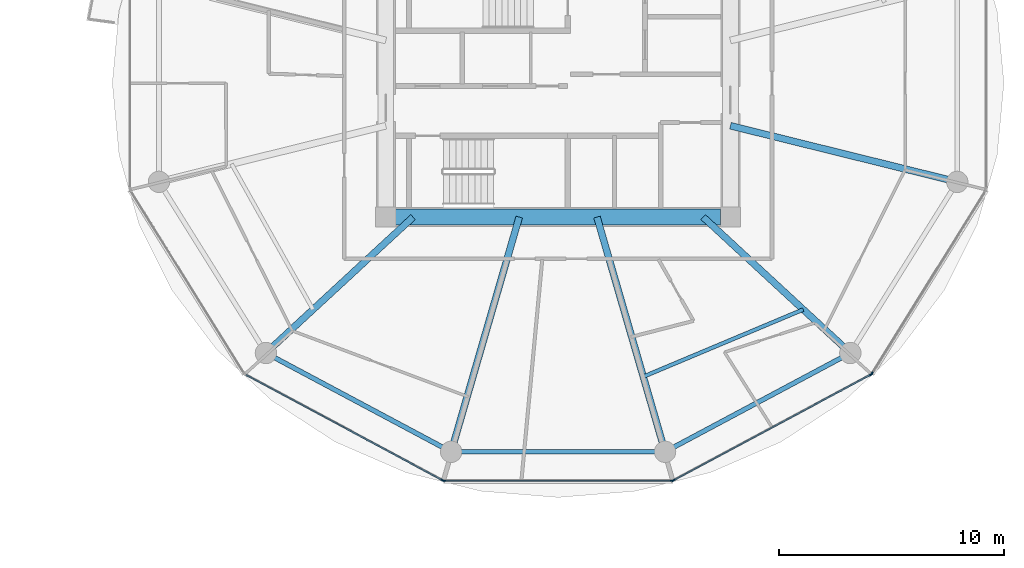
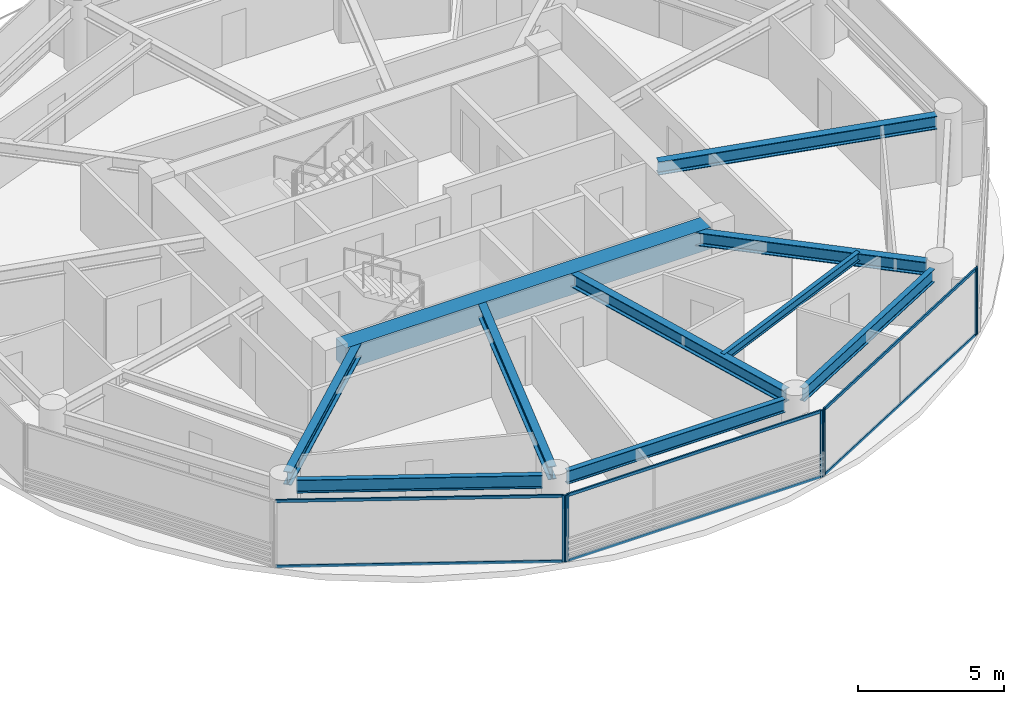
# One storey, part 10 of 27: 12 members, 10 beams, 4 elements without a shape of their own.
"""IFC4 building model written with IfcOpenShell, lengths in metres."""

from ifc_helpers import new_model, si_unit, direction, frame, origin, origin_2d, place, context, subcontext, project, spatial, rectangle, i_section, extrude, source, transform, mapped, material, layer, layer_set, material_profile, profile_set, type_object, type_shapes, element, aggregate, save


model = new_model("IFC4")

# Units and contexts
model_context = context("Model", 3, precision=1e-05, world=origin(), true_north=direction((0.0, 1.0)))
body_context = subcontext(model_context, "Body", "Model", "MODEL_VIEW")
ifc_project = project(units=[si_unit("LENGTHUNIT", "METRE"), si_unit("AREAUNIT", "SQUARE_METRE"), si_unit("VOLUMEUNIT", "CUBIC_METRE"), si_unit("PLANEANGLEUNIT", "RADIAN"), si_unit("MASSUNIT", "GRAM", prefix="KILO")], contexts=[model_context])

# Site, building, storey
site_placement = place(None, origin())
site = spatial("IfcSite", under=ifc_project, at=site_placement, CompositionType="ELEMENT")
building_placement = place(site_placement, origin())
building = spatial("IfcBuilding", under=site, at=building_placement, Name="Norrkilde Senior Care Towers", CompositionType="ELEMENT")
storey_placement = place(building_placement, frame((0.0, 0.0, 61.25)))
storey = spatial("IfcBuildingStorey", under=building, at=storey_placement, Name="L18", CompositionType="ELEMENT", Elevation=61.25)

# Beams
ifc_material_1 = material(Name="Concrete C60/75", Category="concrete")
ifc_material_profile_1 = material_profile(ifc_material_1, rectangle(XDim=0.699951171875, YDim=0.89990234375, at=origin_2d()), Name="RC BM 700x900")
ifc_profile_set_1 = profile_set([ifc_material_profile_1], Name="Concrete C60/75")
beam_type_1 = type_object("IfcBeamType", Name="Core Coupling Girder 700x900", PredefinedType="USERDEFINED", material=ifc_profile_set_1)
shared_shape_1 = source(origin(), body_context, "Body", "SweptSolid", [
    extrude(rectangle(XDim=0.699951171875, YDim=0.89990234375, at=origin_2d()), origin(), (0.0, 0.0, 1.0), 14.43994140625),
])
type_shapes(beam_type_1, [shared_shape_1])
beam_1_placement = place(storey_placement, frame((20.780029296875, -5.949951171875, 2.340087890625), z_axis=(1.0, 0.0, 0.0), x_axis=(0.0, 1.0, 0.0)))
element("IfcBeam", 1, at=beam_1_placement, inside=storey, type_object=beam_type_1, Name="L18 Core E S Coupling Girder", ObjectType="GIRDER", PredefinedType="USERDEFINED", context=body_context, shape_type="MappedRepresentation", body=[
    mapped(shared_shape_1, transform((0.0, 0.0, 0.0), x_axis=(1.0, 0.0, 0.0), y_axis=(0.0, 1.0, 0.0), z_axis=(0.0, 0.0, 1.0), scale=1.0)),
])
ifc_material_2 = material(Name="Steel S355", Category="steel")
ifc_material_profile_2 = material_profile(ifc_material_2, i_section(OverallWidth=0.300048828125, OverallDepth=0.550048828125, WebThickness=0.014892578125, FlangeThickness=0.029052734375, FilletRadius=0.027099609375, at=origin_2d()), Name="HEB 550")
ifc_profile_set_2 = profile_set([ifc_material_profile_2], Name="Steel S355")
beam_type_2 = type_object("IfcBeamType", Name="Radial Floor Beam Z1 HEB550", PredefinedType="BEAM", material=ifc_profile_set_2)
shared_shape_2 = source(origin(), body_context, "Body", "SweptSolid", [
    extrude(i_section(OverallWidth=0.300048828125, OverallDepth=0.550048828125, WebThickness=0.014892578125, FlangeThickness=0.029052734375, FilletRadius=0.027099609375, at=origin_2d()), origin(), (0.0, 0.0, 1.0), 9.94384765625),
])
beam_2_placement = place(storey_placement, frame((35.64990234375, -1.893310546875, 2.514892578125), z_axis=(0.970707425182, -0.240264634718, 0.0), x_axis=(0.240264634718, 0.970707425182, 0.0)))
element("IfcBeam", 2, at=beam_2_placement, inside=storey, type_object=beam_type_2, Name="L18 Drum E Radial Floor Beam 12", PredefinedType="BEAM", context=body_context, shape_type="MappedRepresentation", body=[
    mapped(shared_shape_2, transform((0.0, 0.0, 0.0), x_axis=(1.0, 0.0, 0.0), y_axis=(0.0, 1.0, 0.0), z_axis=(0.0, 0.0, 1.0), scale=1.0)),
])
ifc_material_profile_3 = material_profile(ifc_material_2, i_section(OverallWidth=0.2099609375, OverallDepth=0.550048828125, WebThickness=0.010986328125, FlangeThickness=0.01708984375, FilletRadius=0.02392578125, at=origin_2d()), Name="IPE 550")
ifc_profile_set_3 = profile_set([ifc_material_profile_3], Name="Steel S355")
beam_type_3 = type_object("IfcBeamType", Name="Perimeter Ring Spandrel Z1 IPE550", PredefinedType="SPANDREL", material=ifc_profile_set_3)
shared_shape_3 = source(origin(), body_context, "Body", "SweptSolid", [
    extrude(i_section(OverallWidth=0.2099609375, OverallDepth=0.550048828125, WebThickness=0.010986328125, FlangeThickness=0.01708984375, FilletRadius=0.02392578125, at=origin_2d()), origin(), (0.0, 0.0, 1.0), 8.452880859375),
])
for number, where, z_axis, x_axis, name in (
    (3, (15.408447265625, -12.190185546875, 2.514892578125), (0.882368931134, -0.470558252898, 0.0), (0.470558252898, 0.882368931134, 0.0), "L18 Drum E Perimeter Spandrel 08"),
    (4, (33.133056640625, -16.167724609375, 2.514892578125), (0.882368931134, 0.470558252898, 0.0), (-0.470558252898, 0.882368931134, 0.0), "L18 Drum E Perimeter Spandrel 10"),
):
    element("IfcBeam", number, at=place(storey_placement, frame(where, z_axis=z_axis, x_axis=x_axis)), inside=storey, type_object=beam_type_3, Name=name, PredefinedType="SPANDREL", context=body_context, shape_type="MappedRepresentation", body=[
        mapped(shared_shape_3, transform((0.0, 0.0, 0.0), x_axis=(1.0, 0.0, 0.0), y_axis=(0.0, 1.0, 0.0), z_axis=(0.0, 0.0, 1.0), scale=1.0)),
    ])
shared_shape_4 = source(origin(), body_context, "Body", "SweptSolid", [
    extrude(i_section(OverallWidth=0.300048828125, OverallDepth=0.550048828125, WebThickness=0.014892578125, FlangeThickness=0.029052734375, FilletRadius=0.027099609375, at=origin_2d()), origin(), (0.0, 0.0, 1.0), 8.459716796875),
])
for number, where, z_axis, x_axis, name in (
    (5, (21.55859375, -5.949951171875, 2.514892578125), (-0.734573269108, -0.678529374686, 0.0), (0.678529374686, -0.734573269108, 0.0), "L18 Drum E Radial Floor Beam 08"),
    (6, (34.44140625, -5.949951171875, 2.514892578125), (0.734573269108, -0.678529374686, 0.0), (0.678529374686, 0.734573269108, 0.0), "L18 Drum E Radial Floor Beam 11"),
):
    element("IfcBeam", number, at=place(storey_placement, frame(where, z_axis=z_axis, x_axis=x_axis)), inside=storey, type_object=beam_type_2, Name=name, PredefinedType="BEAM", context=body_context, shape_type="MappedRepresentation", body=[
        mapped(shared_shape_4, transform((0.0, 0.0, 0.0), x_axis=(1.0, 0.0, 0.0), y_axis=(0.0, 1.0, 0.0), z_axis=(0.0, 0.0, 1.0), scale=1.0)),
    ])
shared_shape_5 = source(origin(), body_context, "Body", "SweptSolid", [
    extrude(i_section(OverallWidth=0.2099609375, OverallDepth=0.550048828125, WebThickness=0.010986328125, FlangeThickness=0.01708984375, FilletRadius=0.02392578125, at=origin_2d()), origin(), (0.0, 0.0, 1.0), 8.62841796875),
])
type_shapes(beam_type_3, [shared_shape_3, shared_shape_5])
beam_3_placement = place(storey_placement, frame((23.685791015625, -16.37255859375, 2.514892578125), z_axis=(1.0, 0.0, 0.0), x_axis=(0.0, 1.0, 0.0)))
element("IfcBeam", 7, at=beam_3_placement, inside=storey, type_object=beam_type_3, Name="L18 Drum E Perimeter Spandrel 09", PredefinedType="SPANDREL", context=body_context, shape_type="MappedRepresentation", body=[
    mapped(shared_shape_5, transform((0.0, 0.0, 0.0), x_axis=(1.0, 0.0, 0.0), y_axis=(0.0, 1.0, 0.0), z_axis=(0.0, 0.0, 1.0), scale=1.0)),
])
shared_shape_6 = source(origin(), body_context, "Body", "SweptSolid", [
    extrude(i_section(OverallWidth=0.300048828125, OverallDepth=0.550048828125, WebThickness=0.014892578125, FlangeThickness=0.029052734375, FilletRadius=0.027099609375, at=origin_2d()), origin(), (0.0, 0.0, 1.0), 10.4169921875),
])
type_shapes(beam_type_2, [shared_shape_2, shared_shape_4, shared_shape_6])
for number, where, z_axis, x_axis, name in (
    (8, (26.27392578125, -5.949951171875, 2.514892578125), (-0.278591250785, -0.960409764104, 0.0), (0.960409764104, -0.278591250785, 0.0), "L18 Drum E Radial Floor Beam 09"),
    (9, (29.72607421875, -5.949951171875, 2.514892578125), (0.278591250785, -0.960409764104, 0.0), (0.960409764104, 0.278591250785, 0.0), "L18 Drum E Radial Floor Beam 10"),
):
    element("IfcBeam", number, at=place(storey_placement, frame(where, z_axis=z_axis, x_axis=x_axis)), inside=storey, type_object=beam_type_2, Name=name, PredefinedType="BEAM", context=body_context, shape_type="MappedRepresentation", body=[
        mapped(shared_shape_6, transform((0.0, 0.0, 0.0), x_axis=(1.0, 0.0, 0.0), y_axis=(0.0, 1.0, 0.0), z_axis=(0.0, 0.0, 1.0), scale=1.0)),
    ])
ifc_material_profile_4 = material_profile(ifc_material_2, i_section(OverallWidth=0.169921875, OverallDepth=0.360107421875, WebThickness=0.008056640625, FlangeThickness=0.0126953125, FilletRadius=0.01806640625, at=origin_2d()), Name="IPE 360")
ifc_profile_set_4 = profile_set([ifc_material_profile_4], Name="Steel S355")
beam_type_4 = type_object("IfcBeamType", Name="Secondary Floor Joist IPE360", PredefinedType="JOIST", material=ifc_profile_set_4)
shared_shape_7 = source(origin(), body_context, "Body", "SweptSolid", [
    extrude(i_section(OverallWidth=0.169921875, OverallDepth=0.360107421875, WebThickness=0.008056640625, FlangeThickness=0.0126953125, FilletRadius=0.01806640625, at=origin_2d()), origin(), (0.0, 0.0, 1.0), 7.703857421875),
])
type_shapes(beam_type_4, [shared_shape_7])
beam_4_placement = place(storey_placement, frame((31.78173828125, -13.037353515625, 2.610107421875), z_axis=(0.921982784465, 0.387230868023, 0.0), x_axis=(-0.387230868023, 0.921982784465, 0.0)))
element("IfcBeam", 10, at=beam_4_placement, inside=storey, type_object=beam_type_4, Name="L18 Drum E Secondary Floor Joist 4", PredefinedType="JOIST", context=body_context, shape_type="MappedRepresentation", body=[
    mapped(shared_shape_7, transform((0.0, 0.0, 0.0), x_axis=(1.0, 0.0, 0.0), y_axis=(0.0, 1.0, 0.0), z_axis=(0.0, 0.0, 1.0), scale=1.0)),
])

# Curtain wall, member
ifc_material_3 = material(Name="Triple Low-E Insulated Glazing", Category="glass")
ifc_layer = layer(ifc_material_3, 0.199951171875)
ifc_layer_set = layer_set([ifc_layer], Name="Triple Low-E Insulated Glazing")
curtain_wall_type = type_object("IfcCurtainWallType", Name="CW2 Zone 1 Memory Care Curtain Wall", PredefinedType="NOTDEFINED", material=ifc_layer_set)
curtain_wall_1_placement = place(storey_placement, origin())
curtain_wall_1 = element("IfcCurtainWall", 11, at=curtain_wall_1_placement, inside=storey, type_object=curtain_wall_type, Name="L18 Drum E Curtain Wall 07", PredefinedType="NOTDEFINED")
ifc_material_4 = material(Name="Anodised Aluminium", Category="aluminium")
ifc_material_profile_5 = material_profile(ifc_material_4, rectangle(XDim=0.06494140625, YDim=0.159912109375, at=origin_2d()), Name="ALU MULL 65x160")
ifc_profile_set_5 = profile_set([ifc_material_profile_5], Name="Anodised Aluminium")
member_type_1 = type_object("IfcMemberType", Name="Curtain Wall Mullion Z1-Z2 65x160", PredefinedType="MULLION", material=ifc_profile_set_5)
shared_shape_8 = source(origin(), body_context, "Body", "SweptSolid", [
    extrude(rectangle(XDim=0.06494140625, YDim=0.159912109375, at=origin_2d()), origin(), (0.0, 0.0, 1.0), 2.7900390625),
])
type_shapes(member_type_1, [shared_shape_8])
member_1_placement = place(storey_placement, frame((22.877685546875, -17.641845703125, 0.0), z_axis=(0.0, 0.0, 1.0), x_axis=(-0.472607802456, -0.881272866403, 0.0)))
member_1 = element("IfcMember", 12, at=member_1_placement, type_object=member_type_1, Name="CW-2 mullion 1", PredefinedType="MULLION", context=body_context, shape_type="MappedRepresentation", body=[
    mapped(shared_shape_8, transform((0.0, 0.0, 0.0), x_axis=(1.0, 0.0, 0.0), y_axis=(0.0, 1.0, 0.0), z_axis=(0.0, 0.0, 1.0), scale=1.0)),
])

# Curtain wall, members
curtain_wall_2_placement = place(storey_placement, origin())
curtain_wall_2 = element("IfcCurtainWall", 13, at=curtain_wall_2_placement, inside=storey, type_object=curtain_wall_type, Name="L18 Drum E Curtain Wall 08", PredefinedType="NOTDEFINED")
member_2_placement = place(storey_placement, frame((33.06103515625, -17.6572265625, 0.0), z_axis=(0.0, 0.0, 1.0), x_axis=(0.0, -1.0, 0.0)))
member_2 = element("IfcMember", 14, at=member_2_placement, type_object=member_type_1, Name="CW-2 mullion 1", PredefinedType="MULLION", context=body_context, shape_type="MappedRepresentation", body=[
    mapped(shared_shape_8, transform((0.0, 0.0, 0.0), x_axis=(1.0, 0.0, 0.0), y_axis=(0.0, 1.0, 0.0), z_axis=(0.0, 0.0, 1.0), scale=1.0)),
])
member_3_placement = place(storey_placement, frame((22.93896484375, -17.6572265625, 0.0), z_axis=(0.0, 0.0, 1.0), x_axis=(0.0, -1.0, 0.0)))
member_3 = element("IfcMember", 15, at=member_3_placement, type_object=member_type_1, Name="CW-2 mullion 2", PredefinedType="MULLION", context=body_context, shape_type="MappedRepresentation", body=[
    mapped(shared_shape_8, transform((0.0, 0.0, 0.0), x_axis=(1.0, 0.0, 0.0), y_axis=(0.0, 1.0, 0.0), z_axis=(0.0, 0.0, 1.0), scale=1.0)),
])

curtain_wall_3_placement = place(storey_placement, origin())
curtain_wall_3 = element("IfcCurtainWall", 16, at=curtain_wall_3_placement, inside=storey, type_object=curtain_wall_type, Name="L18 Drum E Curtain Wall 09", PredefinedType="NOTDEFINED")
member_4_placement = place(storey_placement, frame((41.88720703125, -12.941162109375, 0.0), z_axis=(0.0, 0.0, 1.0), x_axis=(0.472607802456, -0.881272866403, 0.0)))
member_4 = element("IfcMember", 17, at=member_4_placement, type_object=member_type_1, Name="CW-2 mullion 1", PredefinedType="MULLION", context=body_context, shape_type="MappedRepresentation", body=[
    mapped(shared_shape_8, transform((0.0, 0.0, 0.0), x_axis=(1.0, 0.0, 0.0), y_axis=(0.0, 1.0, 0.0), z_axis=(0.0, 0.0, 1.0), scale=1.0)),
])
member_5_placement = place(storey_placement, frame((33.122314453125, -17.641845703125, 0.0), z_axis=(0.0, 0.0, 1.0), x_axis=(0.472607802456, -0.881272866403, 0.0)))
member_5 = element("IfcMember", 18, at=member_5_placement, type_object=member_type_1, Name="CW-2 mullion 2", PredefinedType="MULLION", context=body_context, shape_type="MappedRepresentation", body=[
    mapped(shared_shape_8, transform((0.0, 0.0, 0.0), x_axis=(1.0, 0.0, 0.0), y_axis=(0.0, 1.0, 0.0), z_axis=(0.0, 0.0, 1.0), scale=1.0)),
])

# Curtain wall, member
curtain_wall_4_placement = place(storey_placement, origin())
curtain_wall_4 = element("IfcCurtainWall", 19, at=curtain_wall_4_placement, inside=storey, type_object=curtain_wall_type, Name="L18 Drum E Curtain Wall 10", PredefinedType="NOTDEFINED")
member_6_placement = place(storey_placement, frame((41.93310546875, -12.898193359375, 0.0), z_axis=(0.0, 0.0, 1.0), x_axis=(0.849305943117, -0.527900951871, 0.0)))
member_6 = element("IfcMember", 20, at=member_6_placement, type_object=member_type_1, Name="CW-2 mullion 2", PredefinedType="MULLION", context=body_context, shape_type="MappedRepresentation", body=[
    mapped(shared_shape_8, transform((0.0, 0.0, 0.0), x_axis=(1.0, 0.0, 0.0), y_axis=(0.0, 1.0, 0.0), z_axis=(0.0, 0.0, 1.0), scale=1.0)),
])
aggregate(curtain_wall_4, [member_6])

# Member
ifc_material_profile_6 = material_profile(ifc_material_4, rectangle(XDim=0.06005859375, YDim=0.1201171875, at=origin_2d()), Name="ALU TRAN 60x120")
ifc_profile_set_6 = profile_set([ifc_material_profile_6], Name="Anodised Aluminium")
member_type_2 = type_object("IfcMemberType", Name="Curtain Wall Transom Typical 60x120", PredefinedType="USERDEFINED", material=ifc_profile_set_6)
shared_shape_9 = source(origin(), body_context, "Body", "SweptSolid", [
    extrude(rectangle(XDim=0.06005859375, YDim=0.1201171875, at=origin_2d()), origin(), (0.0, 0.0, 1.0), 9.880859375),
])
member_7_placement = place(storey_placement, frame((22.84912109375, -17.62646484375, 0.030029296875), z_axis=(-0.881267204043, 0.47261836092, 0.0), x_axis=(-0.47261836092, -0.881267204043, 0.0)))
member_7 = element("IfcMember", 21, at=member_7_placement, type_object=member_type_2, Name="CW-2 transom 1.1", ObjectType="TRANSOM", PredefinedType="USERDEFINED", context=body_context, shape_type="MappedRepresentation", body=[
    mapped(shared_shape_9, transform((0.0, 0.0, 0.0), x_axis=(1.0, 0.0, 0.0), y_axis=(0.0, 1.0, 0.0), z_axis=(0.0, 0.0, 1.0), scale=1.0)),
])

member_8_placement = place(storey_placement, frame((22.84912109375, -17.62646484375, 2.760009765625), z_axis=(-0.881267204043, 0.47261836092, 0.0), x_axis=(-0.47261836092, -0.881267204043, 0.0)))
member_8 = element("IfcMember", 22, at=member_8_placement, type_object=member_type_2, Name="CW-2 transom 1.2", ObjectType="TRANSOM", PredefinedType="USERDEFINED", context=body_context, shape_type="MappedRepresentation", body=[
    mapped(shared_shape_9, transform((0.0, 0.0, 0.0), x_axis=(1.0, 0.0, 0.0), y_axis=(0.0, 1.0, 0.0), z_axis=(0.0, 0.0, 1.0), scale=1.0)),
])

aggregate(curtain_wall_1, [member_1, member_7, member_8])

member_9_placement = place(storey_placement, frame((41.858642578125, -12.95654296875, 0.030029296875), z_axis=(-0.881267204043, -0.47261836092, 0.0), x_axis=(0.47261836092, -0.881267204043, 0.0)))
member_9 = element("IfcMember", 23, at=member_9_placement, type_object=member_type_2, Name="CW-2 transom 1.1", ObjectType="TRANSOM", PredefinedType="USERDEFINED", context=body_context, shape_type="MappedRepresentation", body=[
    mapped(shared_shape_9, transform((0.0, 0.0, 0.0), x_axis=(1.0, 0.0, 0.0), y_axis=(0.0, 1.0, 0.0), z_axis=(0.0, 0.0, 1.0), scale=1.0)),
])

member_10_placement = place(storey_placement, frame((41.858642578125, -12.95654296875, 2.760009765625), z_axis=(-0.881267204043, -0.47261836092, 0.0), x_axis=(0.47261836092, -0.881267204043, 0.0)))
member_10 = element("IfcMember", 24, at=member_10_placement, type_object=member_type_2, Name="CW-2 transom 1.2", ObjectType="TRANSOM", PredefinedType="USERDEFINED", context=body_context, shape_type="MappedRepresentation", body=[
    mapped(shared_shape_9, transform((0.0, 0.0, 0.0), x_axis=(1.0, 0.0, 0.0), y_axis=(0.0, 1.0, 0.0), z_axis=(0.0, 0.0, 1.0), scale=1.0)),
])

aggregate(curtain_wall_3, [member_4, member_5, member_9, member_10])

shared_shape_10 = source(origin(), body_context, "Body", "SweptSolid", [
    extrude(rectangle(XDim=0.06005859375, YDim=0.1201171875, at=origin_2d()), origin(), (0.0, 0.0, 1.0), 10.05712890625),
])
type_shapes(member_type_2, [shared_shape_9, shared_shape_10])
member_11_placement = place(storey_placement, frame((33.028564453125, -17.6572265625, 0.030029296875), z_axis=(-1.0, 0.0, 0.0), x_axis=(0.0, -1.0, 0.0)))
member_11 = element("IfcMember", 25, at=member_11_placement, type_object=member_type_2, Name="CW-2 transom 1.1", ObjectType="TRANSOM", PredefinedType="USERDEFINED", context=body_context, shape_type="MappedRepresentation", body=[
    mapped(shared_shape_10, transform((0.0, 0.0, 0.0), x_axis=(1.0, 0.0, 0.0), y_axis=(0.0, 1.0, 0.0), z_axis=(0.0, 0.0, 1.0), scale=1.0)),
])

member_12_placement = place(storey_placement, frame((33.028564453125, -17.6572265625, 2.760009765625), z_axis=(-1.0, 0.0, 0.0), x_axis=(0.0, -1.0, 0.0)))
member_12 = element("IfcMember", 26, at=member_12_placement, type_object=member_type_2, Name="CW-2 transom 1.2", ObjectType="TRANSOM", PredefinedType="USERDEFINED", context=body_context, shape_type="MappedRepresentation", body=[
    mapped(shared_shape_10, transform((0.0, 0.0, 0.0), x_axis=(1.0, 0.0, 0.0), y_axis=(0.0, 1.0, 0.0), z_axis=(0.0, 0.0, 1.0), scale=1.0)),
])

aggregate(curtain_wall_2, [member_2, member_3, member_11, member_12])

save(model, "model.ifc")
